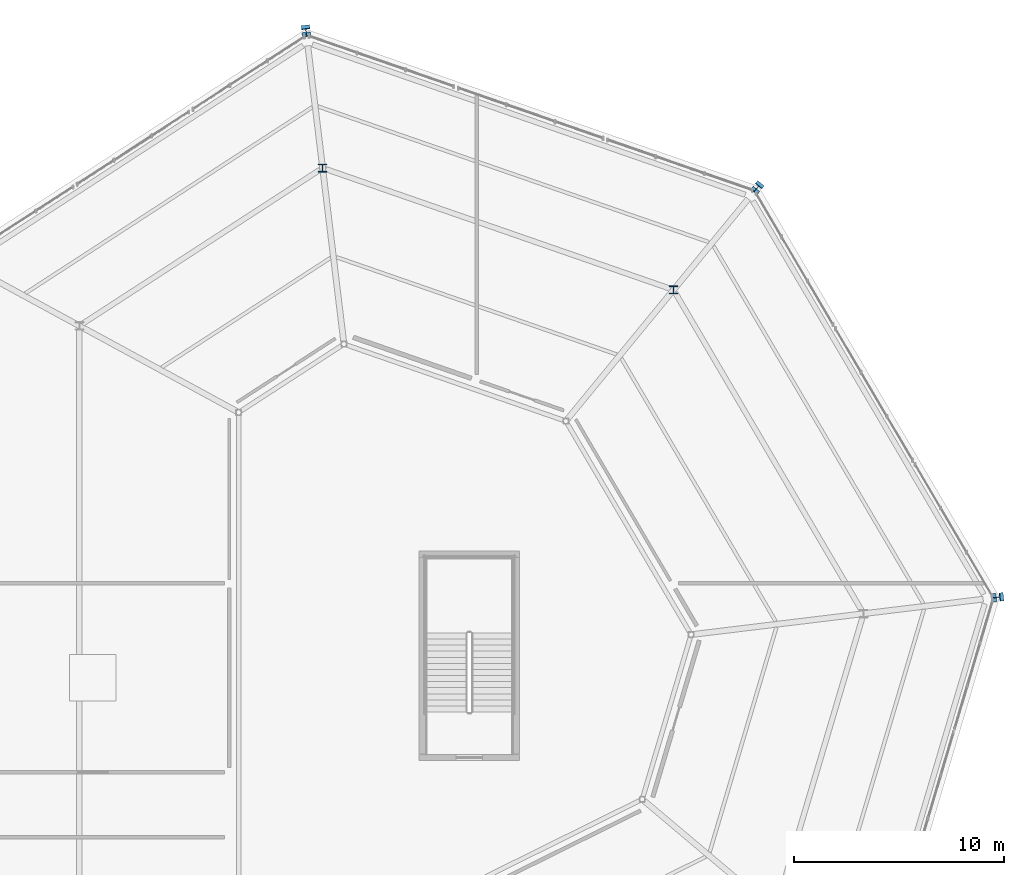
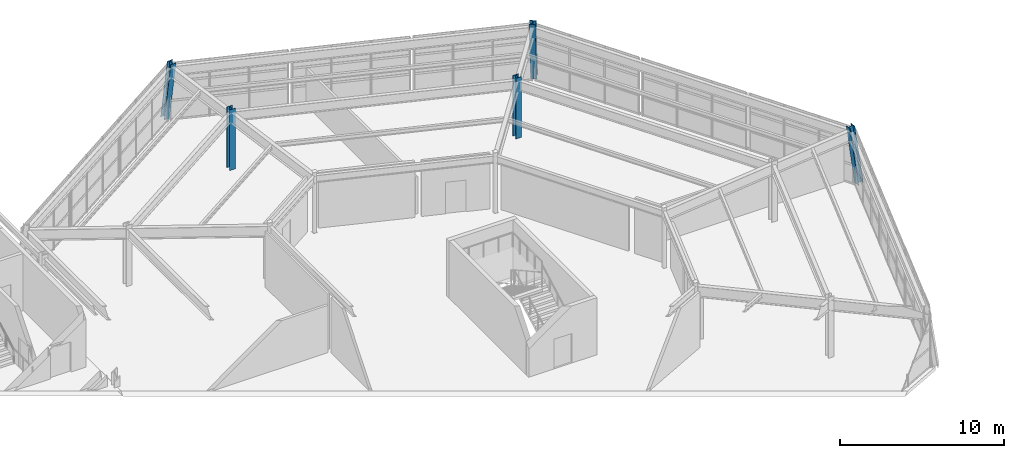
# One storey, part 17 of 77: 5 columns.
"""IFC4 building model written with IfcOpenShell, lengths in metres."""

from ifc_helpers import new_model, si_unit, direction, frame, origin, origin_2d, place, context, subcontext, project, spatial, i_section, extrude, material, material_profile, profile_set, type_object, element, save


model = new_model("IFC4")

# Units and contexts
model_context = context("Model", 3, precision=1e-05, world=origin(), true_north=direction((0.0, 1.0)))
body_context = subcontext(model_context, "Body", "Model", "MODEL_VIEW")
ifc_project = project(units=[si_unit("LENGTHUNIT", "METRE"), si_unit("AREAUNIT", "SQUARE_METRE"), si_unit("VOLUMEUNIT", "CUBIC_METRE"), si_unit("PLANEANGLEUNIT", "RADIAN"), si_unit("MASSUNIT", "GRAM", prefix="KILO")], contexts=[model_context])

# Site, building, storey
site_placement = place(None, origin())
site = spatial("IfcSite", under=ifc_project, at=site_placement, CompositionType="ELEMENT")
building_placement = place(site_placement, origin())
building = spatial("IfcBuilding", under=site, at=building_placement, Name="Sarnbrook Museum", CompositionType="ELEMENT")
storey_placement = place(building_placement, frame((0.0, 0.0, 5.60009765625)))
storey = spatial("IfcBuildingStorey", under=building, at=storey_placement, Name="L01", CompositionType="ELEMENT", Elevation=5.60009765625)

# Columns
ifc_material = material(Name="Structural Steel Grade 350L0 (AS/NZS 3678, fy = 340 MPa for 20 < t <= 40 mm)", Category="steel")
ifc_material_profile = material_profile(ifc_material, i_section(OverallWidth=0.39990234375, OverallDepth=0.382080078125, WebThickness=0.02490234375, FlangeThickness=0.035888671875, at=origin_2d()), Name="400WC270")
ifc_profile_set = profile_set([ifc_material_profile], Name="Structural Steel Grade 350L0 (AS/NZS 3678, fy = 340 MPa for 20 < t <= 40 mm)")
column_type = type_object("IfcColumnType", Name="COL-WC400", PredefinedType="COLUMN", material=ifc_profile_set)
column_1_placement = place(storey_placement, frame((169.09423828125, 87.999267578125, 0.039794921875), z_axis=(-0.140983406199, -0.017121735726, 0.989863892332), x_axis=(0.120559238504, -0.992706134771, 0.0)))
element("IfcColumn", 1, at=column_1_placement, inside=storey, type_object=column_type, Name="Raking Crystal Rib Column V4 L01", PredefinedType="COLUMN", context=body_context, shape_type="SweptSolid", body=[
    extrude(i_section(OverallWidth=0.39990234375, OverallDepth=0.382080078125, WebThickness=0.02490234375, FlangeThickness=0.035888671875, at=origin_2d()), origin(), (0.0, 0.0, 1.0), 4.505859375),
])
column_2_placement = place(storey_placement, frame((157.596435546875, 107.595703125, 0.039794921875), z_axis=(-0.088140167432, -0.10738356192, 0.990303025096), x_axis=(0.772965424746, -0.634448147722, 0.0)))
element("IfcColumn", 2, at=column_2_placement, inside=storey, type_object=column_type, Name="Raking Crystal Rib Column V5 L01", PredefinedType="COLUMN", context=body_context, shape_type="SweptSolid", body=[
    extrude(i_section(OverallWidth=0.39990234375, OverallDepth=0.382080078125, WebThickness=0.02490234375, FlangeThickness=0.035888671875, at=origin_2d()), origin(), (0.0, 0.0, 1.0), 4.50390625),
])
column_3_placement = place(storey_placement, frame((153.543701171875, 102.656982421875, 0.0), z_axis=(0.0, 0.0, 1.0), x_axis=(1.0, 0.0, 0.0)))
element("IfcColumn", 3, at=column_3_placement, inside=storey, type_object=column_type, Name="Crystal Hall Ring Column R1-5 L01", PredefinedType="COLUMN", context=body_context, shape_type="SweptSolid", body=[
    extrude(i_section(OverallWidth=0.39990234375, OverallDepth=0.382080078125, WebThickness=0.02490234375, FlangeThickness=0.035888671875, at=origin_2d()), origin(), (0.0, 0.0, 1.0), 4.5),
])
column_4_placement = place(storey_placement, frame((136.000732421875, 115.093994140625, 0.039794921875), z_axis=(0.017439331242, -0.14390156245, 0.989438330595), x_axis=(0.992736486801, 0.120309051091, 0.0)))
element("IfcColumn", 4, at=column_4_placement, inside=storey, type_object=column_type, Name="Raking Crystal Rib Column V6 L01", PredefinedType="COLUMN", context=body_context, shape_type="SweptSolid", body=[
    extrude(i_section(OverallWidth=0.39990234375, OverallDepth=0.382080078125, WebThickness=0.02490234375, FlangeThickness=0.035888671875, at=origin_2d()), origin(), (0.0, 0.0, 1.0), 4.5078125),
])
column_5_placement = place(storey_placement, frame((136.803955078125, 108.469482421875, 0.0), z_axis=(0.0, 0.0, 1.0), x_axis=(1.0, 0.0, 0.0)))
element("IfcColumn", 5, at=column_5_placement, inside=storey, type_object=column_type, Name="Crystal Hall Ring Column R1-6 L01", PredefinedType="COLUMN", context=body_context, shape_type="SweptSolid", body=[
    extrude(i_section(OverallWidth=0.39990234375, OverallDepth=0.382080078125, WebThickness=0.02490234375, FlangeThickness=0.035888671875, at=origin_2d()), origin(), (0.0, 0.0, 1.0), 4.5),
])

save(model, "model.ifc")
